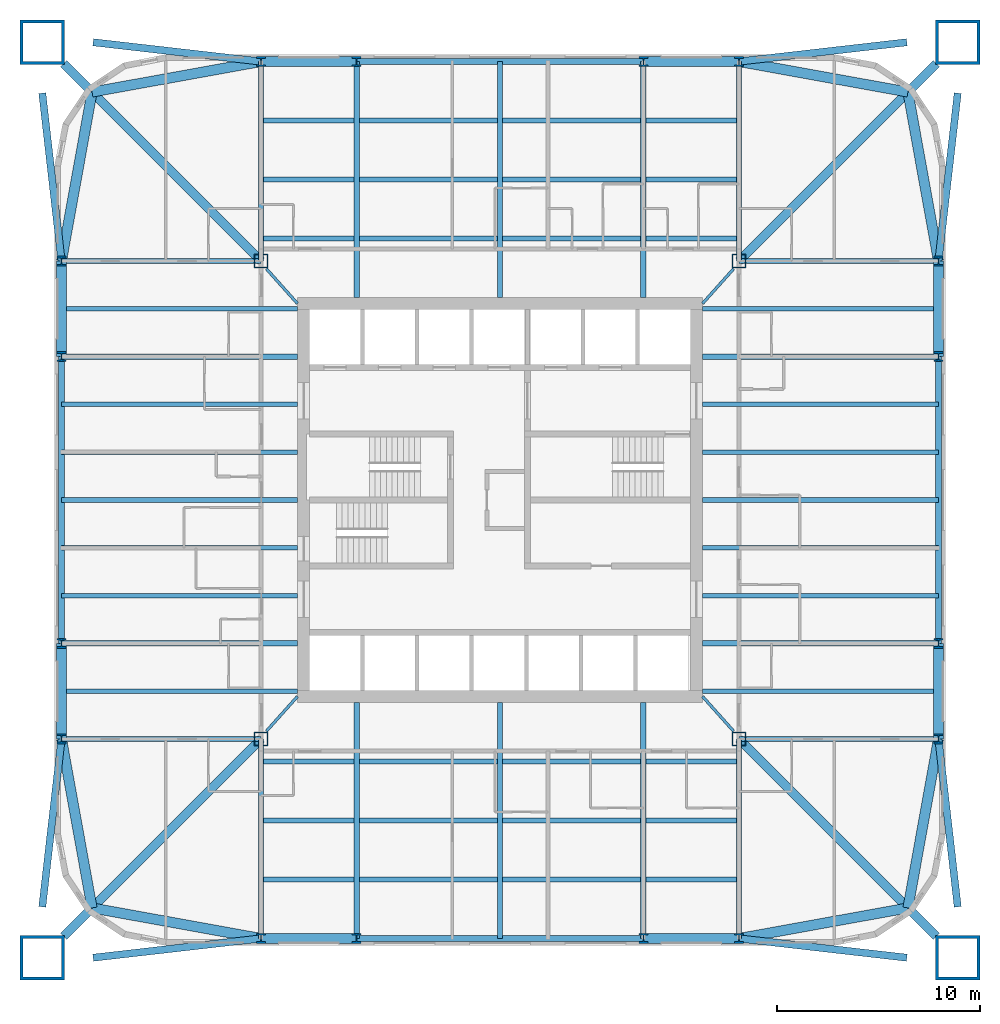
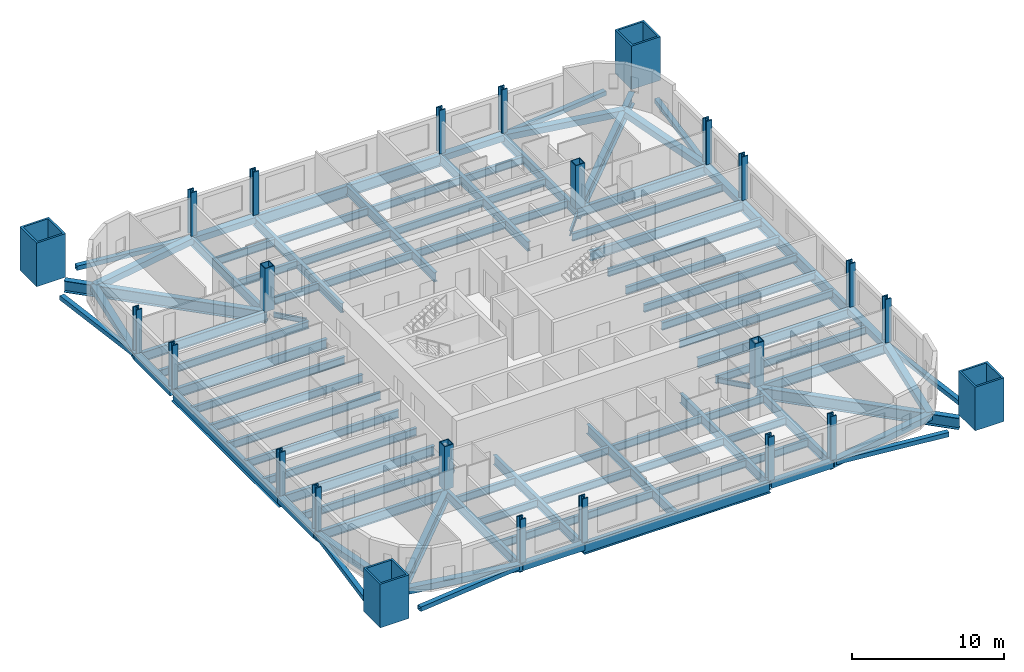
# One storey, part 1 of 9: 92 beams, 24 columns.
"""IFC4 building model written with IfcOpenShell, lengths in metres."""

from ifc_helpers import new_model, si_unit, direction, frame, origin, origin_2d, place, context, subcontext, project, spatial, hollow_rectangle, i_section, extrude, material, material_profile, profile_set, type_object, element, save


model = new_model("IFC4")

# Units and contexts
model_context = context("Model", 3, precision=1e-05, world=origin(), true_north=direction((0.0, 1.0)))
body_context = subcontext(model_context, "Body", "Model", "MODEL_VIEW")
ifc_project = project(units=[si_unit("LENGTHUNIT", "METRE"), si_unit("AREAUNIT", "SQUARE_METRE"), si_unit("VOLUMEUNIT", "CUBIC_METRE"), si_unit("PLANEANGLEUNIT", "RADIAN"), si_unit("MASSUNIT", "GRAM", prefix="KILO")], contexts=[model_context])

# Site, building, storey
site_placement = place(None, origin())
site = spatial("IfcSite", under=ifc_project, at=site_placement, CompositionType="ELEMENT")
building_placement = place(site_placement, origin())
building = spatial("IfcBuilding", under=site, at=building_placement, Name="Turquesa Mirador Hotel Tower", CompositionType="ELEMENT")
storey_placement = place(building_placement, frame((0.0, 0.0, 28.5)))
storey = spatial("IfcBuildingStorey", under=building, at=storey_placement, Name="L06", CompositionType="ELEMENT", Elevation=28.5)

# Columns
ifc_material_1 = material(Name="Steel ASTM A572 Grade 50", Category="steel")
ifc_material_profile_1 = material_profile(ifc_material_1, hollow_rectangle(XDim=0.699951171875, YDim=0.699951171875, WallThickness=0.06005859375, at=origin_2d()), Name="BOX700X700X60")
ifc_profile_set_1 = profile_set([ifc_material_profile_1], Name="Steel ASTM A572 Grade 50")
column_type_1 = type_object("IfcColumnType", Name="COLUMN BOX700X700X60", PredefinedType="COLUMN", material=ifc_profile_set_1)
for number, where, z_axis, x_axis, name in (
    (1, (43.199951171875, 33.199951171875, 0.0), (0.0, 0.0, 1.0), (1.0, 0.0, 0.0), "COL-L06-K--11.80--11.80"),
    (2, (43.199951171875, 56.800048828125, 0.0), (0.0, 0.0, 1.0), (1.0, 0.0, 0.0), "COL-L06-K--11.80-+11.80"),
    (3, (66.800048828125, 33.199951171875, 0.0), (0.0, 0.0, 1.0), (1.0, 0.0, 0.0), "COL-L06-K-+11.80--11.80"),
    (4, (66.800048828125, 56.800048828125, 0.0), (0.0, 0.0, 1.0), (1.0, 0.0, 0.0), "COL-L06-K-+11.80-+11.80"),
):
    element("IfcColumn", number, at=place(storey_placement, frame(where, z_axis=z_axis, x_axis=x_axis)), inside=storey, type_object=column_type_1, Name=name, PredefinedType="COLUMN", context=body_context, shape_type="SweptSolid", body=[
        extrude(hollow_rectangle(XDim=0.699951171875, YDim=0.699951171875, WallThickness=0.06005859375, at=origin_2d()), origin(), (0.0, 0.0, 1.0), 3.5),
    ])
ifc_material_2 = material(Name="Steel ASTM A992 Grade 50", Category="steel")
ifc_material_profile_2 = material_profile(ifc_material_2, i_section(OverallWidth=0.431884765625, OverallDepth=0.497802734375, WebThickness=0.0556640625, FlangeThickness=0.0888671875, at=origin_2d()), Name="W14X500")
ifc_profile_set_2 = profile_set([ifc_material_profile_2], Name="Steel ASTM A992 Grade 50")
column_type_2 = type_object("IfcColumnType", Name="COLUMN W14X500", PredefinedType="COLUMN", material=ifc_profile_set_2)
for number, where, z_axis, x_axis, name in (
    (5, (33.35009765625, 33.199951171875, 0.0), (0.0, 0.0, 1.0), (1.0, 0.0, 0.0), "COL-L06-P--21.65--11.80"),
    (6, (33.35009765625, 37.919921875, 0.0), (0.0, 0.0, 1.0), (1.0, 0.0, 0.0), "COL-L06-P--21.65--7.08"),
    (7, (33.35009765625, 52.080078125, 0.0), (0.0, 0.0, 1.0), (1.0, 0.0, 0.0), "COL-L06-P--21.65-+7.08"),
    (8, (33.35009765625, 56.800048828125, 0.0), (0.0, 0.0, 1.0), (1.0, 0.0, 0.0), "COL-L06-P--21.65-+11.80"),
    (9, (43.199951171875, 23.35009765625, 0.0), (0.0, 0.0, 1.0), (1.0, 0.0, 0.0), "COL-L06-P--11.80--21.65"),
    (10, (43.199951171875, 66.64990234375, 0.0), (0.0, 0.0, 1.0), (1.0, 0.0, 0.0), "COL-L06-P--11.80-+21.65"),
    (11, (47.919921875, 23.35009765625, 0.0), (0.0, 0.0, 1.0), (1.0, 0.0, 0.0), "COL-L06-P--7.08--21.65"),
    (12, (47.919921875, 66.64990234375, 0.0), (0.0, 0.0, 1.0), (1.0, 0.0, 0.0), "COL-L06-P--7.08-+21.65"),
    (13, (62.080078125, 23.35009765625, 0.0), (0.0, 0.0, 1.0), (1.0, 0.0, 0.0), "COL-L06-P-+7.08--21.65"),
    (14, (62.080078125, 66.64990234375, 0.0), (0.0, 0.0, 1.0), (1.0, 0.0, 0.0), "COL-L06-P-+7.08-+21.65"),
    (15, (66.800048828125, 23.35009765625, 0.0), (0.0, 0.0, 1.0), (1.0, 0.0, 0.0), "COL-L06-P-+11.80--21.65"),
    (16, (66.800048828125, 66.64990234375, 0.0), (0.0, 0.0, 1.0), (1.0, 0.0, 0.0), "COL-L06-P-+11.80-+21.65"),
    (17, (76.64990234375, 33.199951171875, 0.0), (0.0, 0.0, 1.0), (1.0, 0.0, 0.0), "COL-L06-P-+21.65--11.80"),
    (18, (76.64990234375, 37.919921875, 0.0), (0.0, 0.0, 1.0), (1.0, 0.0, 0.0), "COL-L06-P-+21.65--7.08"),
    (19, (76.64990234375, 52.080078125, 0.0), (0.0, 0.0, 1.0), (1.0, 0.0, 0.0), "COL-L06-P-+21.65-+7.08"),
    (20, (76.64990234375, 56.800048828125, 0.0), (0.0, 0.0, 1.0), (1.0, 0.0, 0.0), "COL-L06-P-+21.65-+11.80"),
):
    element("IfcColumn", number, at=place(storey_placement, frame(where, z_axis=z_axis, x_axis=x_axis)), inside=storey, type_object=column_type_2, Name=name, PredefinedType="COLUMN", context=body_context, shape_type="SweptSolid", body=[
        extrude(i_section(OverallWidth=0.431884765625, OverallDepth=0.497802734375, WebThickness=0.0556640625, FlangeThickness=0.0888671875, at=origin_2d()), origin(), (0.0, 0.0, 1.0), 3.5),
    ])
ifc_material_3 = material(Name="Steel ASTM A514 Grade Q", Category="steel")
ifc_material_profile_3 = material_profile(ifc_material_3, hollow_rectangle(XDim=2.199951171875, YDim=2.199951171875, WallThickness=0.14990234375, at=origin_2d()), Name="BOX2200X2200X150")
ifc_profile_set_3 = profile_set([ifc_material_profile_3], Name="Steel ASTM A514 Grade Q")
column_type_3 = type_object("IfcColumnType", Name="MEGA COLUMN BOX2200X2200X150", PredefinedType="COLUMN", material=ifc_profile_set_3)
for number, where, z_axis, x_axis, name in (
    (21, (77.60009765625, 67.60009765625, 0.0), (0.0, 0.0, 1.0), (1.0, 0.0, 0.0), "Mega column M1"),
    (22, (32.39990234375, 67.60009765625, 0.0), (0.0, 0.0, 1.0), (1.0, 0.0, 0.0), "Mega column M2"),
    (23, (32.39990234375, 22.39990234375, 0.0), (0.0, 0.0, 1.0), (1.0, 0.0, 0.0), "Mega column M3"),
    (24, (77.60009765625, 22.39990234375, 0.0), (0.0, 0.0, 1.0), (1.0, 0.0, 0.0), "Mega column M4"),
):
    element("IfcColumn", number, at=place(storey_placement, frame(where, z_axis=z_axis, x_axis=x_axis)), inside=storey, type_object=column_type_3, Name=name, PredefinedType="COLUMN", context=body_context, shape_type="SweptSolid", body=[
        extrude(hollow_rectangle(XDim=2.199951171875, YDim=2.199951171875, WallThickness=0.14990234375, at=origin_2d()), origin(), (0.0, 0.0, 1.0), 3.5),
    ])

# Beams
ifc_material_4 = material(Name="Steel ASTM A572 Grade 50", Category="steel")
ifc_material_profile_4 = material_profile(ifc_material_4, hollow_rectangle(XDim=0.5, YDim=0.5, WallThickness=0.01611328125, at=origin_2d()), Name="BOX500X500X16")
ifc_profile_set_4 = profile_set([ifc_material_profile_4], Name="Steel ASTM A572 Grade 50")
beam_type_1 = type_object("IfcBeamType", Name="BEAM BOX500X500X16", PredefinedType="BEAM", material=ifc_profile_set_4)
for number, where, z_axis, x_axis, name in (
    (25, (43.199951171875, 66.64990234375, -0.419921875), (1.0, 0.0, 0.0), (0.0, 1.0, 0.0), "EB-L06-N-L"),
    (26, (62.080078125, 66.64990234375, -0.419921875), (1.0, 0.0, 0.0), (0.0, 1.0, 0.0), "EB-L06-N-R"),
    (27, (43.199951171875, 23.35009765625, -0.419921875), (1.0, 0.0, 0.0), (0.0, 1.0, 0.0), "EB-L06-S-L"),
    (28, (62.080078125, 23.35009765625, -0.419921875), (1.0, 0.0, 0.0), (0.0, 1.0, 0.0), "EB-L06-S-R"),
    (29, (76.64990234375, 33.199951171875, -0.419921875), (0.0, 1.0, 0.0), (-1.0, 0.0, 0.0), "EB-L06-E-L"),
    (30, (76.64990234375, 52.080078125, -0.419921875), (0.0, 1.0, 0.0), (-1.0, 0.0, 0.0), "EB-L06-E-R"),
    (31, (33.35009765625, 33.199951171875, -0.419921875), (0.0, 1.0, 0.0), (-1.0, 0.0, 0.0), "EB-L06-W-L"),
    (32, (33.35009765625, 52.080078125, -0.419921875), (0.0, 1.0, 0.0), (-1.0, 0.0, 0.0), "EB-L06-W-R"),
):
    element("IfcBeam", number, at=place(storey_placement, frame(where, z_axis=z_axis, x_axis=x_axis)), inside=storey, type_object=beam_type_1, Name=name, PredefinedType="BEAM", context=body_context, shape_type="SweptSolid", body=[
        extrude(hollow_rectangle(XDim=0.5, YDim=0.5, WallThickness=0.01611328125, at=origin_2d()), origin(), (0.0, 0.0, 1.0), 4.719970703125),
    ])
for number, where, z_axis, x_axis, name in (
    (33, (76.64990234375, 56.800048828125, -0.419921875), (-0.177932387818, 0.984042715214, 0.0), (-0.984042715214, -0.177932387818, 0.0), "KE-L06-1-0"),
    (34, (75.1416015625, 65.1416015625, -0.419921875), (-0.984042715214, 0.177932387818, 0.0), (-0.177932387818, -0.984042715214, 0.0), "KE-L06-1-1"),
    (35, (33.35009765625, 56.800048828125, -0.419921875), (0.177932387818, 0.984042715214, 0.0), (-0.984042715214, 0.177932387818, 0.0), "KE-L06-2-0"),
    (36, (34.8583984375, 65.1416015625, -0.419921875), (0.984042715214, 0.177932387818, 0.0), (-0.177932387818, 0.984042715214, 0.0), "KE-L06-2-1"),
    (37, (33.35009765625, 33.199951171875, -0.419921875), (0.177932387818, -0.984042715214, 0.0), (0.984042715214, 0.177932387818, 0.0), "KE-L06-3-0"),
    (38, (34.8583984375, 24.8583984375, -0.419921875), (0.984042715214, -0.177932387818, 0.0), (0.177932387818, 0.984042715214, 0.0), "KE-L06-3-1"),
    (39, (76.64990234375, 33.199951171875, -0.419921875), (-0.177932387818, -0.984042715214, 0.0), (0.984042715214, -0.177932387818, 0.0), "KE-L06-4-0"),
    (40, (75.1416015625, 24.8583984375, -0.419921875), (-0.984042715214, -0.177932387818, 0.0), (0.177932387818, -0.984042715214, 0.0), "KE-L06-4-1"),
):
    element("IfcBeam", number, at=place(storey_placement, frame(where, z_axis=z_axis, x_axis=x_axis)), inside=storey, type_object=beam_type_1, Name=name, PredefinedType="BEAM", context=body_context, shape_type="SweptSolid", body=[
        extrude(hollow_rectangle(XDim=0.5, YDim=0.5, WallThickness=0.01611328125, at=origin_2d()), origin(), (0.0, 0.0, 1.0), 8.476806640625),
    ])
ifc_material_5 = material(Name="Steel ASTM A992 Grade 50", Category="steel")
ifc_material_profile_5 = material_profile(ifc_material_5, i_section(OverallWidth=0.140380859375, OverallDepth=0.40380859375, WebThickness=0.007080078125, FlangeThickness=0.01123046875, at=origin_2d()), Name="W16X31")
ifc_profile_set_5 = profile_set([ifc_material_profile_5], Name="Steel ASTM A992 Grade 50")
beam_type_2 = type_object("IfcBeamType", Name="BEAM W16X31", PredefinedType="BEAM", material=ifc_profile_set_5)
for number, where, z_axis, x_axis, name in (
    (41, (66.529541015625, 56.40966796875, -0.371826171875), (-0.666745084392, -0.745285846129, 0.0), (0.745285846129, -0.666745084392, 0.0), "KT-L06-1"),
    (42, (43.470458984375, 56.40966796875, -0.371826171875), (0.666745084392, -0.745285846129, 0.0), (0.745285846129, 0.666745084392, 0.0), "KT-L06-2"),
    (43, (43.470458984375, 33.59033203125, -0.371826171875), (0.666745084392, 0.745285846129, 0.0), (-0.745285846129, 0.666745084392, 0.0), "KT-L06-3"),
    (44, (66.529541015625, 33.59033203125, -0.371826171875), (-0.666745084392, 0.745285846129, 0.0), (-0.745285846129, -0.666745084392, 0.0), "KT-L06-4"),
):
    element("IfcBeam", number, at=place(storey_placement, frame(where, z_axis=z_axis, x_axis=x_axis)), inside=storey, type_object=beam_type_2, Name=name, PredefinedType="BEAM", context=body_context, shape_type="SweptSolid", body=[
        extrude(i_section(OverallWidth=0.140380859375, OverallDepth=0.40380859375, WebThickness=0.007080078125, FlangeThickness=0.01123046875, at=origin_2d()), origin(), (0.0, 0.0, 1.0), 2.2939453125),
    ])
ifc_material_6 = material(Name="Steel ASTM A992 Grade 50", Category="steel")
ifc_material_profile_6 = material_profile(ifc_material_6, i_section(OverallWidth=0.228271484375, OverallDepth=0.607177734375, WebThickness=0.01123046875, FlangeThickness=0.017333984375, at=origin_2d()), Name="W24X76")
ifc_profile_set_6 = profile_set([ifc_material_profile_6], Name="Steel ASTM A992 Grade 50")
beam_type_3 = type_object("IfcBeamType", Name="BEAM W24X76", PredefinedType="BEAM", material=ifc_profile_set_6)
beam_1_placement = place(storey_placement, frame((43.333251953125, 57.912109375, -0.4736328125), z_axis=(1.0, 0.0, 0.0), x_axis=(0.0, 1.0, 0.0)))
element("IfcBeam", 45, at=beam_1_placement, inside=storey, type_object=beam_type_3, Name="IB-L06-N-1-0", PredefinedType="BEAM", context=body_context, shape_type="SweptSolid", body=[
    extrude(i_section(OverallWidth=0.228271484375, OverallDepth=0.607177734375, WebThickness=0.01123046875, FlangeThickness=0.017333984375, at=origin_2d()), origin(), (0.0, 0.0, 1.0), 4.453369140625),
])
for number, where, z_axis, x_axis, name in (
    (46, (48.053466796875, 57.912109375, -0.4736328125), (1.0, 0.0, 0.0), (0.0, 1.0, 0.0), "IB-L06-N-1-1"),
    (47, (55.13330078125, 57.912109375, -0.4736328125), (1.0, 0.0, 0.0), (0.0, 1.0, 0.0), "IB-L06-N-1-2"),
):
    element("IfcBeam", number, at=place(storey_placement, frame(where, z_axis=z_axis, x_axis=x_axis)), inside=storey, type_object=beam_type_3, Name=name, PredefinedType="BEAM", context=body_context, shape_type="SweptSolid", body=[
        extrude(i_section(OverallWidth=0.228271484375, OverallDepth=0.607177734375, WebThickness=0.01123046875, FlangeThickness=0.017333984375, at=origin_2d()), origin(), (0.0, 0.0, 1.0), 6.813232421875),
    ])
for number, where, z_axis, x_axis, name in (
    (48, (62.21337890625, 57.912109375, -0.4736328125), (1.0, 0.0, 0.0), (0.0, 1.0, 0.0), "IB-L06-N-1-3"),
    (49, (43.333251953125, 60.824951171875, -0.4736328125), (1.0, 0.0, 0.0), (0.0, 1.0, 0.0), "IB-L06-N-2-0"),
):
    element("IfcBeam", number, at=place(storey_placement, frame(where, z_axis=z_axis, x_axis=x_axis)), inside=storey, type_object=beam_type_3, Name=name, PredefinedType="BEAM", context=body_context, shape_type="SweptSolid", body=[
        extrude(i_section(OverallWidth=0.228271484375, OverallDepth=0.607177734375, WebThickness=0.01123046875, FlangeThickness=0.017333984375, at=origin_2d()), origin(), (0.0, 0.0, 1.0), 4.453369140625),
    ])
for number, where, z_axis, x_axis, name in (
    (50, (48.053466796875, 60.824951171875, -0.4736328125), (1.0, 0.0, 0.0), (0.0, 1.0, 0.0), "IB-L06-N-2-1"),
    (51, (55.13330078125, 60.824951171875, -0.4736328125), (1.0, 0.0, 0.0), (0.0, 1.0, 0.0), "IB-L06-N-2-2"),
):
    element("IfcBeam", number, at=place(storey_placement, frame(where, z_axis=z_axis, x_axis=x_axis)), inside=storey, type_object=beam_type_3, Name=name, PredefinedType="BEAM", context=body_context, shape_type="SweptSolid", body=[
        extrude(i_section(OverallWidth=0.228271484375, OverallDepth=0.607177734375, WebThickness=0.01123046875, FlangeThickness=0.017333984375, at=origin_2d()), origin(), (0.0, 0.0, 1.0), 6.813232421875),
    ])
for number, where, z_axis, x_axis, name in (
    (52, (62.21337890625, 60.824951171875, -0.4736328125), (1.0, 0.0, 0.0), (0.0, 1.0, 0.0), "IB-L06-N-2-3"),
    (53, (43.333251953125, 63.737060546875, -0.4736328125), (1.0, 0.0, 0.0), (0.0, 1.0, 0.0), "IB-L06-N-3-0"),
):
    element("IfcBeam", number, at=place(storey_placement, frame(where, z_axis=z_axis, x_axis=x_axis)), inside=storey, type_object=beam_type_3, Name=name, PredefinedType="BEAM", context=body_context, shape_type="SweptSolid", body=[
        extrude(i_section(OverallWidth=0.228271484375, OverallDepth=0.607177734375, WebThickness=0.01123046875, FlangeThickness=0.017333984375, at=origin_2d()), origin(), (0.0, 0.0, 1.0), 4.453369140625),
    ])
for number, where, z_axis, x_axis, name in (
    (54, (48.053466796875, 63.737060546875, -0.4736328125), (1.0, 0.0, 0.0), (0.0, 1.0, 0.0), "IB-L06-N-3-1"),
    (55, (55.13330078125, 63.737060546875, -0.4736328125), (1.0, 0.0, 0.0), (0.0, 1.0, 0.0), "IB-L06-N-3-2"),
):
    element("IfcBeam", number, at=place(storey_placement, frame(where, z_axis=z_axis, x_axis=x_axis)), inside=storey, type_object=beam_type_3, Name=name, PredefinedType="BEAM", context=body_context, shape_type="SweptSolid", body=[
        extrude(i_section(OverallWidth=0.228271484375, OverallDepth=0.607177734375, WebThickness=0.01123046875, FlangeThickness=0.017333984375, at=origin_2d()), origin(), (0.0, 0.0, 1.0), 6.813232421875),
    ])
for number, where, z_axis, x_axis, name in (
    (56, (62.21337890625, 63.737060546875, -0.4736328125), (1.0, 0.0, 0.0), (0.0, 1.0, 0.0), "IB-L06-N-3-3"),
    (57, (43.333251953125, 32.087890625, -0.4736328125), (1.0, 0.0, 0.0), (0.0, 1.0, 0.0), "IB-L06-S-1-0"),
):
    element("IfcBeam", number, at=place(storey_placement, frame(where, z_axis=z_axis, x_axis=x_axis)), inside=storey, type_object=beam_type_3, Name=name, PredefinedType="BEAM", context=body_context, shape_type="SweptSolid", body=[
        extrude(i_section(OverallWidth=0.228271484375, OverallDepth=0.607177734375, WebThickness=0.01123046875, FlangeThickness=0.017333984375, at=origin_2d()), origin(), (0.0, 0.0, 1.0), 4.453369140625),
    ])
for number, where, z_axis, x_axis, name in (
    (58, (48.053466796875, 32.087890625, -0.4736328125), (1.0, 0.0, 0.0), (0.0, 1.0, 0.0), "IB-L06-S-1-1"),
    (59, (55.13330078125, 32.087890625, -0.4736328125), (1.0, 0.0, 0.0), (0.0, 1.0, 0.0), "IB-L06-S-1-2"),
):
    element("IfcBeam", number, at=place(storey_placement, frame(where, z_axis=z_axis, x_axis=x_axis)), inside=storey, type_object=beam_type_3, Name=name, PredefinedType="BEAM", context=body_context, shape_type="SweptSolid", body=[
        extrude(i_section(OverallWidth=0.228271484375, OverallDepth=0.607177734375, WebThickness=0.01123046875, FlangeThickness=0.017333984375, at=origin_2d()), origin(), (0.0, 0.0, 1.0), 6.813232421875),
    ])
for number, where, z_axis, x_axis, name in (
    (60, (62.21337890625, 32.087890625, -0.4736328125), (1.0, 0.0, 0.0), (0.0, 1.0, 0.0), "IB-L06-S-1-3"),
    (61, (43.333251953125, 29.175048828125, -0.4736328125), (1.0, 0.0, 0.0), (0.0, 1.0, 0.0), "IB-L06-S-2-0"),
):
    element("IfcBeam", number, at=place(storey_placement, frame(where, z_axis=z_axis, x_axis=x_axis)), inside=storey, type_object=beam_type_3, Name=name, PredefinedType="BEAM", context=body_context, shape_type="SweptSolid", body=[
        extrude(i_section(OverallWidth=0.228271484375, OverallDepth=0.607177734375, WebThickness=0.01123046875, FlangeThickness=0.017333984375, at=origin_2d()), origin(), (0.0, 0.0, 1.0), 4.453369140625),
    ])
for number, where, z_axis, x_axis, name in (
    (62, (48.053466796875, 29.175048828125, -0.4736328125), (1.0, 0.0, 0.0), (0.0, 1.0, 0.0), "IB-L06-S-2-1"),
    (63, (55.13330078125, 29.175048828125, -0.4736328125), (1.0, 0.0, 0.0), (0.0, 1.0, 0.0), "IB-L06-S-2-2"),
):
    element("IfcBeam", number, at=place(storey_placement, frame(where, z_axis=z_axis, x_axis=x_axis)), inside=storey, type_object=beam_type_3, Name=name, PredefinedType="BEAM", context=body_context, shape_type="SweptSolid", body=[
        extrude(i_section(OverallWidth=0.228271484375, OverallDepth=0.607177734375, WebThickness=0.01123046875, FlangeThickness=0.017333984375, at=origin_2d()), origin(), (0.0, 0.0, 1.0), 6.813232421875),
    ])
for number, where, z_axis, x_axis, name in (
    (64, (62.21337890625, 29.175048828125, -0.4736328125), (1.0, 0.0, 0.0), (0.0, 1.0, 0.0), "IB-L06-S-2-3"),
    (65, (43.333251953125, 26.262939453125, -0.4736328125), (1.0, 0.0, 0.0), (0.0, 1.0, 0.0), "IB-L06-S-3-0"),
):
    element("IfcBeam", number, at=place(storey_placement, frame(where, z_axis=z_axis, x_axis=x_axis)), inside=storey, type_object=beam_type_3, Name=name, PredefinedType="BEAM", context=body_context, shape_type="SweptSolid", body=[
        extrude(i_section(OverallWidth=0.228271484375, OverallDepth=0.607177734375, WebThickness=0.01123046875, FlangeThickness=0.017333984375, at=origin_2d()), origin(), (0.0, 0.0, 1.0), 4.453369140625),
    ])
for number, where, z_axis, x_axis, name in (
    (66, (48.053466796875, 26.262939453125, -0.4736328125), (1.0, 0.0, 0.0), (0.0, 1.0, 0.0), "IB-L06-S-3-1"),
    (67, (55.13330078125, 26.262939453125, -0.4736328125), (1.0, 0.0, 0.0), (0.0, 1.0, 0.0), "IB-L06-S-3-2"),
):
    element("IfcBeam", number, at=place(storey_placement, frame(where, z_axis=z_axis, x_axis=x_axis)), inside=storey, type_object=beam_type_3, Name=name, PredefinedType="BEAM", context=body_context, shape_type="SweptSolid", body=[
        extrude(i_section(OverallWidth=0.228271484375, OverallDepth=0.607177734375, WebThickness=0.01123046875, FlangeThickness=0.017333984375, at=origin_2d()), origin(), (0.0, 0.0, 1.0), 6.813232421875),
    ])
beam_2_placement = place(storey_placement, frame((62.21337890625, 26.262939453125, -0.4736328125), z_axis=(1.0, 0.0, 0.0), x_axis=(0.0, 1.0, 0.0)))
element("IfcBeam", 68, at=beam_2_placement, inside=storey, type_object=beam_type_3, Name="IB-L06-S-3-3", PredefinedType="BEAM", context=body_context, shape_type="SweptSolid", body=[
    extrude(i_section(OverallWidth=0.228271484375, OverallDepth=0.607177734375, WebThickness=0.01123046875, FlangeThickness=0.017333984375, at=origin_2d()), origin(), (0.0, 0.0, 1.0), 4.453369140625),
])
for number, where, z_axis, x_axis, name in (
    (69, (76.64990234375, 35.56005859375, -0.4736328125), (-1.0, 0.0, 0.0), (0.0, -1.0, 0.0), "BM-L06-E--9.44"),
    (70, (76.64990234375, 40.280029296875, -0.4736328125), (-1.0, 0.0, 0.0), (0.0, -1.0, 0.0), "BM-L06-E--4.72"),
    (71, (76.64990234375, 42.639892578125, -0.4736328125), (-1.0, 0.0, 0.0), (0.0, -1.0, 0.0), "BM-L06-E--2.36"),
    (72, (76.64990234375, 45.0, -0.4736328125), (-1.0, 0.0, 0.0), (0.0, -1.0, 0.0), "BM-L06-E-+0.00"),
    (73, (76.64990234375, 47.360107421875, -0.4736328125), (-1.0, 0.0, 0.0), (0.0, -1.0, 0.0), "BM-L06-E-+2.36"),
    (74, (76.64990234375, 49.719970703125, -0.4736328125), (-1.0, 0.0, 0.0), (0.0, -1.0, 0.0), "BM-L06-E-+4.72"),
    (75, (76.64990234375, 54.43994140625, -0.4736328125), (-1.0, 0.0, 0.0), (0.0, -1.0, 0.0), "BM-L06-E-+9.44"),
    (76, (33.35009765625, 35.56005859375, -0.4736328125), (1.0, 0.0, 0.0), (0.0, 1.0, 0.0), "BM-L06-W--9.44"),
    (77, (33.35009765625, 40.280029296875, -0.4736328125), (1.0, 0.0, 0.0), (0.0, 1.0, 0.0), "BM-L06-W--4.72"),
    (78, (33.35009765625, 42.639892578125, -0.4736328125), (1.0, 0.0, 0.0), (0.0, 1.0, 0.0), "BM-L06-W--2.36"),
    (79, (33.35009765625, 45.0, -0.4736328125), (1.0, 0.0, 0.0), (0.0, 1.0, 0.0), "BM-L06-W-+0.00"),
    (80, (33.35009765625, 47.360107421875, -0.4736328125), (1.0, 0.0, 0.0), (0.0, 1.0, 0.0), "BM-L06-W-+2.36"),
    (81, (33.35009765625, 49.719970703125, -0.4736328125), (1.0, 0.0, 0.0), (0.0, 1.0, 0.0), "BM-L06-W-+4.72"),
    (82, (33.35009765625, 54.43994140625, -0.4736328125), (1.0, 0.0, 0.0), (0.0, 1.0, 0.0), "BM-L06-W-+9.44"),
):
    element("IfcBeam", number, at=place(storey_placement, frame(where, z_axis=z_axis, x_axis=x_axis)), inside=storey, type_object=beam_type_3, Name=name, PredefinedType="BEAM", context=body_context, shape_type="SweptSolid", body=[
        extrude(i_section(OverallWidth=0.228271484375, OverallDepth=0.607177734375, WebThickness=0.01123046875, FlangeThickness=0.017333984375, at=origin_2d()), origin(), (0.0, 0.0, 1.0), 11.64990234375),
    ])
ifc_material_7 = material(Name="Steel ASTM A992 Grade 50", Category="steel")
ifc_material_profile_7 = material_profile(ifc_material_7, i_section(OverallWidth=0.2666015625, OverallDepth=0.7568359375, WebThickness=0.013916015625, FlangeThickness=0.019287109375, at=origin_2d()), Name="W30X108")
ifc_profile_set_7 = profile_set([ifc_material_profile_7], Name="Steel ASTM A992 Grade 50")
beam_type_4 = type_object("IfcBeamType", Name="BEAM W30X108", PredefinedType="BEAM", material=ifc_profile_set_7)
for number, where, z_axis, x_axis, name in (
    (83, (47.919921875, 66.64990234375, -0.54833984375), (0.0, -1.0, 0.0), (1.0, 0.0, 0.0), "GD-L06-N--7.08"),
    (84, (62.080078125, 66.64990234375, -0.54833984375), (0.0, -1.0, 0.0), (1.0, 0.0, 0.0), "GD-L06-N-+7.08"),
    (85, (55.0, 66.64990234375, -0.54833984375), (0.0, -1.0, 0.0), (1.0, 0.0, 0.0), "GD-L06-N-+0.00"),
):
    element("IfcBeam", number, at=place(storey_placement, frame(where, z_axis=z_axis, x_axis=x_axis)), inside=storey, type_object=beam_type_4, Name=name, PredefinedType="BEAM", context=body_context, shape_type="SweptSolid", body=[
        extrude(i_section(OverallWidth=0.2666015625, OverallDepth=0.7568359375, WebThickness=0.013916015625, FlangeThickness=0.019287109375, at=origin_2d()), origin(), (0.0, 0.0, 1.0), 11.64990234375),
    ])
for number, where, z_axis, x_axis, name in (
    (86, (43.199951171875, 66.64990234375, -0.54833984375), (0.0, -1.0, 0.0), (1.0, 0.0, 0.0), "GK-L06-N--11.80"),
    (87, (66.800048828125, 66.64990234375, -0.54833984375), (0.0, -1.0, 0.0), (1.0, 0.0, 0.0), "GK-L06-N-+11.80"),
):
    element("IfcBeam", number, at=place(storey_placement, frame(where, z_axis=z_axis, x_axis=x_axis)), inside=storey, type_object=beam_type_4, Name=name, PredefinedType="BEAM", context=body_context, shape_type="SweptSolid", body=[
        extrude(i_section(OverallWidth=0.2666015625, OverallDepth=0.7568359375, WebThickness=0.013916015625, FlangeThickness=0.019287109375, at=origin_2d()), origin(), (0.0, 0.0, 1.0), 9.849853515625),
    ])
for number, where, z_axis, x_axis, name in (
    (88, (47.919921875, 23.35009765625, -0.54833984375), (0.0, 1.0, 0.0), (-1.0, 0.0, 0.0), "GD-L06-S--7.08"),
    (89, (62.080078125, 23.35009765625, -0.54833984375), (0.0, 1.0, 0.0), (-1.0, 0.0, 0.0), "GD-L06-S-+7.08"),
    (90, (55.0, 23.35009765625, -0.54833984375), (0.0, 1.0, 0.0), (-1.0, 0.0, 0.0), "GD-L06-S-+0.00"),
):
    element("IfcBeam", number, at=place(storey_placement, frame(where, z_axis=z_axis, x_axis=x_axis)), inside=storey, type_object=beam_type_4, Name=name, PredefinedType="BEAM", context=body_context, shape_type="SweptSolid", body=[
        extrude(i_section(OverallWidth=0.2666015625, OverallDepth=0.7568359375, WebThickness=0.013916015625, FlangeThickness=0.019287109375, at=origin_2d()), origin(), (0.0, 0.0, 1.0), 11.64990234375),
    ])
for number, where, z_axis, x_axis, name in (
    (91, (43.199951171875, 23.35009765625, -0.54833984375), (0.0, 1.0, 0.0), (-1.0, 0.0, 0.0), "GK-L06-S--11.80"),
    (92, (66.800048828125, 23.35009765625, -0.54833984375), (0.0, 1.0, 0.0), (-1.0, 0.0, 0.0), "GK-L06-S-+11.80"),
):
    element("IfcBeam", number, at=place(storey_placement, frame(where, z_axis=z_axis, x_axis=x_axis)), inside=storey, type_object=beam_type_4, Name=name, PredefinedType="BEAM", context=body_context, shape_type="SweptSolid", body=[
        extrude(i_section(OverallWidth=0.2666015625, OverallDepth=0.7568359375, WebThickness=0.013916015625, FlangeThickness=0.019287109375, at=origin_2d()), origin(), (0.0, 0.0, 1.0), 9.849853515625),
    ])
for number, where, z_axis, x_axis, name in (
    (93, (76.64990234375, 37.919921875, -0.54833984375), (-1.0, 0.0, 0.0), (0.0, -1.0, 0.0), "GD-L06-E--7.08"),
    (94, (76.64990234375, 52.080078125, -0.54833984375), (-1.0, 0.0, 0.0), (0.0, -1.0, 0.0), "GD-L06-E-+7.08"),
):
    element("IfcBeam", number, at=place(storey_placement, frame(where, z_axis=z_axis, x_axis=x_axis)), inside=storey, type_object=beam_type_4, Name=name, PredefinedType="BEAM", context=body_context, shape_type="SweptSolid", body=[
        extrude(i_section(OverallWidth=0.2666015625, OverallDepth=0.7568359375, WebThickness=0.013916015625, FlangeThickness=0.019287109375, at=origin_2d()), origin(), (0.0, 0.0, 1.0), 11.64990234375),
    ])
for number, where, z_axis, x_axis, name in (
    (95, (76.64990234375, 33.199951171875, -0.54833984375), (-1.0, 0.0, 0.0), (0.0, -1.0, 0.0), "GK-L06-E--11.80"),
    (96, (76.64990234375, 56.800048828125, -0.54833984375), (-1.0, 0.0, 0.0), (0.0, -1.0, 0.0), "GK-L06-E-+11.80"),
):
    element("IfcBeam", number, at=place(storey_placement, frame(where, z_axis=z_axis, x_axis=x_axis)), inside=storey, type_object=beam_type_4, Name=name, PredefinedType="BEAM", context=body_context, shape_type="SweptSolid", body=[
        extrude(i_section(OverallWidth=0.2666015625, OverallDepth=0.7568359375, WebThickness=0.013916015625, FlangeThickness=0.019287109375, at=origin_2d()), origin(), (0.0, 0.0, 1.0), 9.849853515625),
    ])
for number, where, z_axis, x_axis, name in (
    (97, (33.35009765625, 37.919921875, -0.54833984375), (1.0, 0.0, 0.0), (0.0, 1.0, 0.0), "GD-L06-W--7.08"),
    (98, (33.35009765625, 52.080078125, -0.54833984375), (1.0, 0.0, 0.0), (0.0, 1.0, 0.0), "GD-L06-W-+7.08"),
):
    element("IfcBeam", number, at=place(storey_placement, frame(where, z_axis=z_axis, x_axis=x_axis)), inside=storey, type_object=beam_type_4, Name=name, PredefinedType="BEAM", context=body_context, shape_type="SweptSolid", body=[
        extrude(i_section(OverallWidth=0.2666015625, OverallDepth=0.7568359375, WebThickness=0.013916015625, FlangeThickness=0.019287109375, at=origin_2d()), origin(), (0.0, 0.0, 1.0), 11.64990234375),
    ])
for number, where, z_axis, x_axis, name in (
    (99, (33.35009765625, 33.199951171875, -0.54833984375), (1.0, 0.0, 0.0), (0.0, 1.0, 0.0), "GK-L06-W--11.80"),
    (100, (33.35009765625, 56.800048828125, -0.54833984375), (1.0, 0.0, 0.0), (0.0, 1.0, 0.0), "GK-L06-W-+11.80"),
):
    element("IfcBeam", number, at=place(storey_placement, frame(where, z_axis=z_axis, x_axis=x_axis)), inside=storey, type_object=beam_type_4, Name=name, PredefinedType="BEAM", context=body_context, shape_type="SweptSolid", body=[
        extrude(i_section(OverallWidth=0.2666015625, OverallDepth=0.7568359375, WebThickness=0.013916015625, FlangeThickness=0.019287109375, at=origin_2d()), origin(), (0.0, 0.0, 1.0), 9.849853515625),
    ])
ifc_material_8 = material(Name="Steel ASTM A992 Grade 50", Category="steel")
ifc_material_profile_8 = material_profile(ifc_material_8, i_section(OverallWidth=0.3046875, OverallDepth=0.911865234375, WebThickness=0.015869140625, FlangeThickness=0.02392578125, at=origin_2d()), Name="W36X150")
ifc_profile_set_8 = profile_set([ifc_material_profile_8], Name="Steel ASTM A992 Grade 50")
beam_type_5 = type_object("IfcBeamType", Name="BEAM W36X150", PredefinedType="BEAM", material=ifc_profile_set_8)
for number, where, z_axis, x_axis, name in (
    (101, (47.919921875, 66.64990234375, -0.6259765625), (1.0, 0.0, 0.0), (0.0, 1.0, 0.0), "EB-L06-N-C"),
    (102, (47.919921875, 23.35009765625, -0.6259765625), (1.0, 0.0, 0.0), (0.0, 1.0, 0.0), "EB-L06-S-C"),
    (103, (76.64990234375, 37.919921875, -0.6259765625), (0.0, 1.0, 0.0), (-1.0, 0.0, 0.0), "EB-L06-E-C"),
    (104, (33.35009765625, 37.919921875, -0.6259765625), (0.0, 1.0, 0.0), (-1.0, 0.0, 0.0), "EB-L06-W-C"),
):
    element("IfcBeam", number, at=place(storey_placement, frame(where, z_axis=z_axis, x_axis=x_axis)), inside=storey, type_object=beam_type_5, Name=name, PredefinedType="BEAM", context=body_context, shape_type="SweptSolid", body=[
        extrude(i_section(OverallWidth=0.3046875, OverallDepth=0.911865234375, WebThickness=0.015869140625, FlangeThickness=0.02392578125, at=origin_2d()), origin(), (0.0, 0.0, 1.0), 14.16015625),
    ])
ifc_material_9 = material(Name="Steel ASTM A992 Grade 50", Category="steel")
ifc_material_profile_9 = material_profile(ifc_material_9, i_section(OverallWidth=0.419189453125, OverallDepth=0.927001953125, WebThickness=0.019287109375, FlangeThickness=0.031982421875, at=origin_2d()), Name="W36X231")
ifc_profile_set_9 = profile_set([ifc_material_profile_9], Name="Steel ASTM A992 Grade 50")
beam_type_6 = type_object("IfcBeamType", Name="BEAM W36X231", PredefinedType="BEAM", material=ifc_profile_set_9)
for number, where, z_axis, x_axis, name in (
    (105, (66.800048828125, 56.800048828125, -0.633544921875), (0.707106781187, 0.707106781187, 0.0), (-0.707106781187, 0.707106781187, 0.0), "KD-L06-1"),
    (106, (43.199951171875, 56.800048828125, -0.633544921875), (-0.707106781187, 0.707106781187, 0.0), (-0.707106781187, -0.707106781187, 0.0), "KD-L06-2"),
    (107, (43.199951171875, 33.199951171875, -0.633544921875), (-0.707106781187, -0.707106781187, 0.0), (0.707106781187, -0.707106781187, 0.0), "KD-L06-3"),
    (108, (66.800048828125, 33.199951171875, -0.633544921875), (0.707106781187, -0.707106781187, 0.0), (0.707106781187, 0.707106781187, 0.0), "KD-L06-4"),
):
    element("IfcBeam", number, at=place(storey_placement, frame(where, z_axis=z_axis, x_axis=x_axis)), inside=storey, type_object=beam_type_6, Name=name, PredefinedType="BEAM", context=body_context, shape_type="SweptSolid", body=[
        extrude(i_section(OverallWidth=0.419189453125, OverallDepth=0.927001953125, WebThickness=0.019287109375, FlangeThickness=0.031982421875, at=origin_2d()), origin(), (0.0, 0.0, 1.0), 13.78857421875),
    ])
ifc_material_10 = material(Name="Steel ASTM A500 Grade C", Category="steel")
ifc_material_profile_10 = material_profile(ifc_material_10, hollow_rectangle(XDim=0.355712890625, YDim=0.355712890625, WallThickness=0.0146484375, at=origin_2d()), Name="HSS14X14X5/8")
ifc_profile_set_10 = profile_set([ifc_material_profile_10], Name="Steel ASTM A500 Grade C")
beam_type_7 = type_object("IfcBeamType", Name="BRACE STRUT HSS14X14X5/8", PredefinedType="BEAM", material=ifc_profile_set_10)
for number, where, z_axis, x_axis, name in (
    (109, (34.9111328125, 67.60009765625, -0.347900390625), (0.993493376505, -0.11388990667, 0.0), (0.11388990667, 0.993493376505, 0.0), "Brace strut"),
    (110, (75.0888671875, 67.60009765625, -0.347900390625), (-0.993493376505, -0.11388990667, 0.0), (0.11388990667, -0.993493376505, 0.0), "Brace strut"),
    (111, (34.9111328125, 22.39990234375, -0.347900390625), (0.993493376505, 0.11388990667, 0.0), (-0.11388990667, 0.993493376505, 0.0), "Brace strut"),
    (112, (75.0888671875, 22.39990234375, -0.347900390625), (-0.993493376505, 0.11388990667, 0.0), (-0.11388990667, -0.993493376505, 0.0), "Brace strut"),
    (113, (77.60009765625, 24.9111328125, -0.347900390625), (-0.11388990667, 0.993493376505, 0.0), (-0.993493376505, -0.11388990667, 0.0), "Brace strut"),
    (114, (77.60009765625, 65.0888671875, -0.347900390625), (-0.11388990667, -0.993493376505, 0.0), (0.993493376505, -0.11388990667, 0.0), "Brace strut"),
    (115, (32.39990234375, 24.9111328125, -0.347900390625), (0.11388990667, 0.993493376505, 0.0), (-0.993493376505, 0.11388990667, 0.0), "Brace strut"),
    (116, (32.39990234375, 65.0888671875, -0.347900390625), (0.11388990667, -0.993493376505, 0.0), (0.993493376505, 0.11388990667, 0.0), "Brace strut"),
):
    element("IfcBeam", number, at=place(storey_placement, frame(where, z_axis=z_axis, x_axis=x_axis)), inside=storey, type_object=beam_type_7, Name=name, PredefinedType="BEAM", context=body_context, shape_type="SweptSolid", body=[
        extrude(hollow_rectangle(XDim=0.355712890625, YDim=0.355712890625, WallThickness=0.0146484375, at=origin_2d()), origin(), (0.0, 0.0, 1.0), 8.343017578125),
    ])

save(model, "model.ifc")
